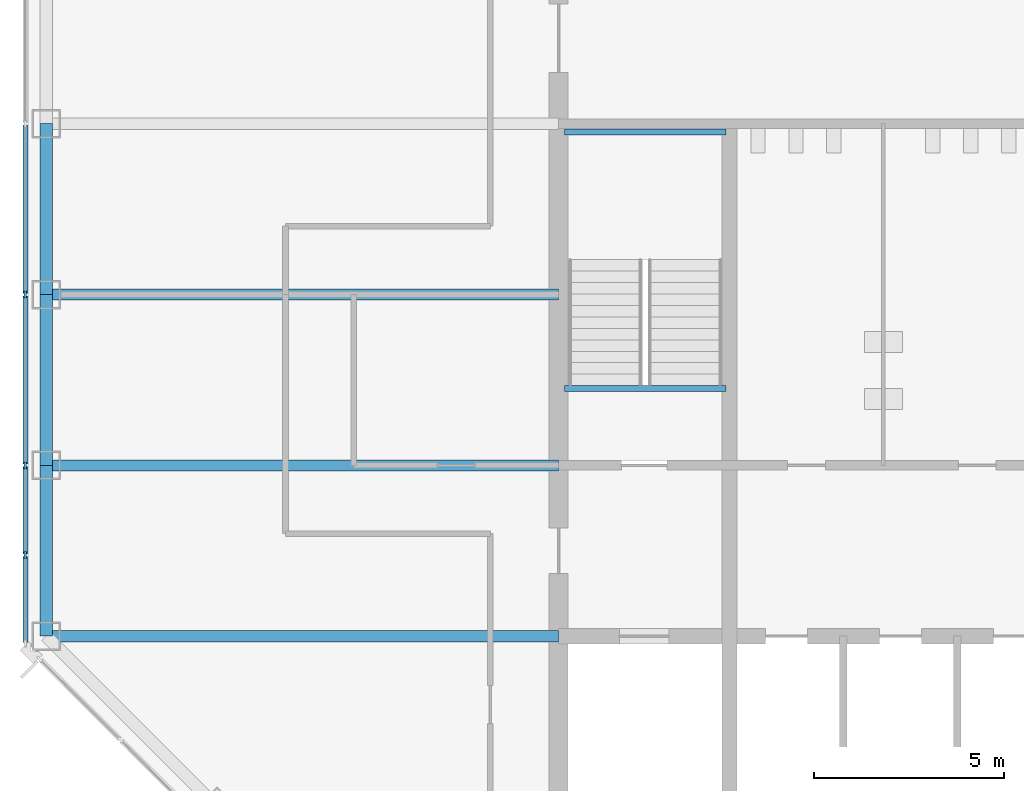
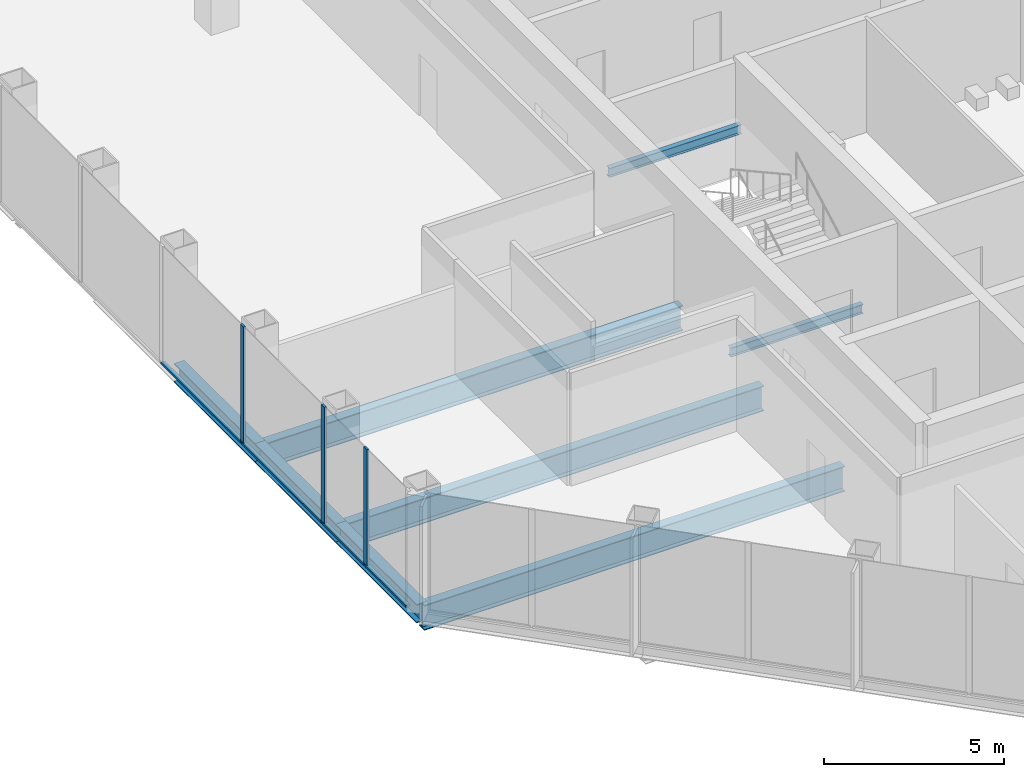
# One storey, part 3 of 12: 8 beams, 7 members, 1 element without a shape of its own.
"""IFC4 building model written with IfcOpenShell, lengths in metres."""

from ifc_helpers import new_model, si_unit, direction, frame, origin, origin_2d, place, context, subcontext, project, spatial, rectangle, i_section, extrude, material, material_profile, profile_set, type_object, element, aggregate, save


model = new_model("IFC4")

# Units and contexts
model_context = context("Model", 3, precision=1e-05, world=origin(), true_north=direction((0.0, 1.0)))
body_context = subcontext(model_context, "Body", "Model", "MODEL_VIEW")
ifc_project = project(units=[si_unit("LENGTHUNIT", "METRE"), si_unit("AREAUNIT", "SQUARE_METRE"), si_unit("VOLUMEUNIT", "CUBIC_METRE"), si_unit("PLANEANGLEUNIT", "RADIAN"), si_unit("MASSUNIT", "GRAM", prefix="KILO")], contexts=[model_context])

# Site, building, storey
site_placement = place(None, origin())
site = spatial("IfcSite", under=ifc_project, at=site_placement, CompositionType="ELEMENT")
building_placement = place(site_placement, origin())
building = spatial("IfcBuilding", under=site, at=building_placement, Name="Corais Broadcast Tower", CompositionType="ELEMENT")
storey_placement = place(building_placement, frame((0.0, 0.0, 147.60009765625)))
storey = spatial("IfcBuildingStorey", under=building, at=storey_placement, Name="L33", CompositionType="ELEMENT", Elevation=147.60009765625)

# Beams
ifc_material_1 = material(Name="Steel ASTM A572 Grade 50", Category="steel")
ifc_material_profile_1 = material_profile(ifc_material_1, i_section(OverallWidth=0.2939453125, OverallDepth=0.85107421875, WebThickness=0.01611328125, FlangeThickness=0.02685546875, at=origin_2d()), Name="W840x226")
ifc_profile_set_1 = profile_set([ifc_material_profile_1], Name="Steel ASTM A572 Grade 50")
beam_type_1 = type_object("IfcBeamType", Name="Floor beam W840x226", PredefinedType="BEAM", material=ifc_profile_set_1)
for number, where, z_axis, x_axis, name in (
    (1, (0.0, 18.0, -0.585693359375), (1.0, 0.0, 0.0), (0.0, 1.0, 0.0), "B1 E/3 to E/6"),
    (2, (0.0, 22.5, -0.585693359375), (1.0, 0.0, 0.0), (0.0, 1.0, 0.0), "B1 F/3 to F/6"),
    (3, (0.0, 27.0, -0.585693359375), (1.0, 0.0, 0.0), (0.0, 1.0, 0.0), "B1 G/3 to G/6"),
):
    element("IfcBeam", number, at=place(storey_placement, frame(where, z_axis=z_axis, x_axis=x_axis)), inside=storey, type_object=beam_type_1, Name=name, PredefinedType="BEAM", context=body_context, shape_type="SweptSolid", body=[
        extrude(i_section(OverallWidth=0.2939453125, OverallDepth=0.85107421875, WebThickness=0.01611328125, FlangeThickness=0.02685546875, at=origin_2d()), origin(), (0.0, 0.0, 1.0), 13.5),
    ])
ifc_material_2 = material(Name="Steel ASTM A572 Grade 50", Category="steel")
ifc_material_profile_2 = material_profile(ifc_material_2, i_section(OverallWidth=0.1650390625, OverallDepth=0.31005859375, WebThickness=0.005859375, FlangeThickness=0.009765625, at=origin_2d()), Name="W310x38.7")
ifc_profile_set_2 = profile_set([ifc_material_profile_2], Name="Steel ASTM A572 Grade 50")
beam_type_2 = type_object("IfcBeamType", Name="Landing trimmer W310x38.7", PredefinedType="BEAM", material=ifc_profile_set_2)
for number, where, z_axis, x_axis, name in (
    (4, (13.64990234375, 24.52490234375, -0.35498046875), (1.0, 0.0, 0.0), (0.0, 1.0, 0.0), "LT1 stair A landing trimmer L33"),
    (5, (13.64990234375, 31.284912109375, 1.64501953125), (1.0, 0.0, 0.0), (0.0, 1.0, 0.0), "LT1 stair A half landing trimmer L33"),
):
    element("IfcBeam", number, at=place(storey_placement, frame(where, z_axis=z_axis, x_axis=x_axis)), inside=storey, type_object=beam_type_2, Name=name, PredefinedType="BEAM", context=body_context, shape_type="SweptSolid", body=[
        extrude(i_section(OverallWidth=0.1650390625, OverallDepth=0.31005859375, WebThickness=0.005859375, FlangeThickness=0.009765625, at=origin_2d()), origin(), (0.0, 0.0, 1.0), 4.25),
    ])

# Curtain wall, members
ifc_material_3 = material(Name="Aluminium and glass", Category="aluminium")
curtain_wall_type = type_object("IfcCurtainWallType", Name="Unitised fritted curtain wall CW2", PredefinedType="NOTDEFINED", material=ifc_material_3)
curtain_wall_placement = place(storey_placement, origin())
curtain_wall = element("IfcCurtainWall", 6, at=curtain_wall_placement, inside=storey, type_object=curtain_wall_type, Name="CW2 curtain wall L33 2", PredefinedType="NOTDEFINED")
ifc_material_4 = material(Name="Aluminium 6063-T6", Category="aluminium")
ifc_material_profile_3 = material_profile(ifc_material_4, rectangle(XDim=0.06494140625, YDim=0.179931640625, at=origin_2d()), Name="Mullion CW2 65x180")
ifc_profile_set_3 = profile_set([ifc_material_profile_3], Name="Aluminium 6063-T6")
member_type_1 = type_object("IfcMemberType", Name="Mullion CW2 65x180", PredefinedType="MULLION", material=ifc_profile_set_3)
member_1_placement = place(storey_placement, frame((-0.550048828125, 20.135986328125, 0.0), z_axis=(0.0, 0.0, 1.0), x_axis=(-1.0, 0.0, 0.0)))
member_1 = element("IfcMember", 7, at=member_1_placement, type_object=member_type_1, Name="CW2 mullion 2", PredefinedType="MULLION", context=body_context, shape_type="SweptSolid", body=[
    extrude(rectangle(XDim=0.06494140625, YDim=0.179931640625, at=origin_2d()), origin(), (0.0, 0.0, 1.0), 4.0),
])
member_2_placement = place(storey_placement, frame((-0.550048828125, 22.5, 0.0), z_axis=(0.0, 0.0, 1.0), x_axis=(-1.0, 0.0, 0.0)))
member_2 = element("IfcMember", 8, at=member_2_placement, type_object=member_type_1, Name="CW2 mullion 3", PredefinedType="MULLION", context=body_context, shape_type="SweptSolid", body=[
    extrude(rectangle(XDim=0.06494140625, YDim=0.179931640625, at=origin_2d()), origin(), (0.0, 0.0, 1.0), 4.0),
])
member_3_placement = place(storey_placement, frame((-0.550048828125, 27.0, 0.0), z_axis=(0.0, 0.0, 1.0), x_axis=(-1.0, 0.0, 0.0)))
member_3 = element("IfcMember", 9, at=member_3_placement, type_object=member_type_1, Name="CW2 mullion 4", PredefinedType="MULLION", context=body_context, shape_type="SweptSolid", body=[
    extrude(rectangle(XDim=0.06494140625, YDim=0.179931640625, at=origin_2d()), origin(), (0.0, 0.0, 1.0), 4.0),
])

# Beams
ifc_material_5 = material(Name="Steel ASTM A572 Grade 50", Category="steel")
ifc_material_profile_4 = material_profile(ifc_material_5, i_section(OverallWidth=0.3291015625, OverallDepth=0.635009765625, WebThickness=0.017822265625, FlangeThickness=0.031005859375, at=origin_2d()), Name="W610x241")
ifc_profile_set_4 = profile_set([ifc_material_profile_4], Name="Steel ASTM A572 Grade 50")
beam_type_3 = type_object("IfcBeamType", Name="Spandrel W610x241", PredefinedType="BEAM", material=ifc_profile_set_4)
for number, where, z_axis, x_axis, name in (
    (10, (0.0, 22.5, -0.4775390625), (0.0, -1.0, 0.0), (1.0, 0.0, 0.0), "SB1 F/3 to E/3"),
    (11, (0.0, 27.0, -0.4775390625), (0.0, -1.0, 0.0), (1.0, 0.0, 0.0), "SB1 G/3 to F/3"),
    (12, (0.0, 31.5, -0.4775390625), (0.0, -1.0, 0.0), (1.0, 0.0, 0.0), "SB1 H/3 to G/3"),
):
    element("IfcBeam", number, at=place(storey_placement, frame(where, z_axis=z_axis, x_axis=x_axis)), inside=storey, type_object=beam_type_3, Name=name, PredefinedType="BEAM", context=body_context, shape_type="SweptSolid", body=[
        extrude(i_section(OverallWidth=0.3291015625, OverallDepth=0.635009765625, WebThickness=0.017822265625, FlangeThickness=0.031005859375, at=origin_2d()), origin(), (0.0, 0.0, 1.0), 4.5),
    ])

# Member
ifc_material_6 = material(Name="Aluminium 6063-T6", Category="aluminium")
ifc_material_profile_5 = material_profile(ifc_material_6, rectangle(XDim=0.1298828125, YDim=0.06494140625, at=origin_2d()), Name="Transom CW2 65x130")
ifc_profile_set_5 = profile_set([ifc_material_profile_5], Name="Aluminium 6063-T6")
member_type_2 = type_object("IfcMemberType", Name="Transom CW2 65x130", PredefinedType="USERDEFINED", material=ifc_profile_set_5)
member_4_placement = place(storey_placement, frame((-0.550048828125, 17.837158203125, 0.032470703125), z_axis=(0.0, 1.0, 0.0), x_axis=(-1.0, 0.0, 0.0)))
member_4 = element("IfcMember", 13, at=member_4_placement, type_object=member_type_2, Name="CW2 transom 1.1", ObjectType="TRANSOM", PredefinedType="USERDEFINED", context=body_context, shape_type="SweptSolid", body=[
    extrude(rectangle(XDim=0.1298828125, YDim=0.06494140625, at=origin_2d()), origin(), (0.0, 0.0, 1.0), 2.266357421875),
])

member_5_placement = place(storey_placement, frame((-0.550048828125, 20.168701171875, 0.032470703125), z_axis=(0.0, 1.0, 0.0), x_axis=(-1.0, 0.0, 0.0)))
member_5 = element("IfcMember", 14, at=member_5_placement, type_object=member_type_2, Name="CW2 transom 2.1", ObjectType="TRANSOM", PredefinedType="USERDEFINED", context=body_context, shape_type="SweptSolid", body=[
    extrude(rectangle(XDim=0.1298828125, YDim=0.06494140625, at=origin_2d()), origin(), (0.0, 0.0, 1.0), 2.298828125),
])

member_6_placement = place(storey_placement, frame((-0.550048828125, 22.532470703125, 0.032470703125), z_axis=(0.0, 1.0, 0.0), x_axis=(-1.0, 0.0, 0.0)))
member_6 = element("IfcMember", 15, at=member_6_placement, type_object=member_type_2, Name="CW2 transom 3.1", ObjectType="TRANSOM", PredefinedType="USERDEFINED", context=body_context, shape_type="SweptSolid", body=[
    extrude(rectangle(XDim=0.1298828125, YDim=0.06494140625, at=origin_2d()), origin(), (0.0, 0.0, 1.0), 4.43505859375),
])

member_7_placement = place(storey_placement, frame((-0.550048828125, 27.032470703125, 0.032470703125), z_axis=(0.0, 1.0, 0.0), x_axis=(-1.0, 0.0, 0.0)))
member_7 = element("IfcMember", 16, at=member_7_placement, type_object=member_type_2, Name="CW2 transom 4.1", ObjectType="TRANSOM", PredefinedType="USERDEFINED", context=body_context, shape_type="SweptSolid", body=[
    extrude(rectangle(XDim=0.1298828125, YDim=0.06494140625, at=origin_2d()), origin(), (0.0, 0.0, 1.0), 4.43505859375),
])

aggregate(curtain_wall, [member_1, member_2, member_3, member_4, member_5, member_6, member_7])

save(model, "model.ifc")
